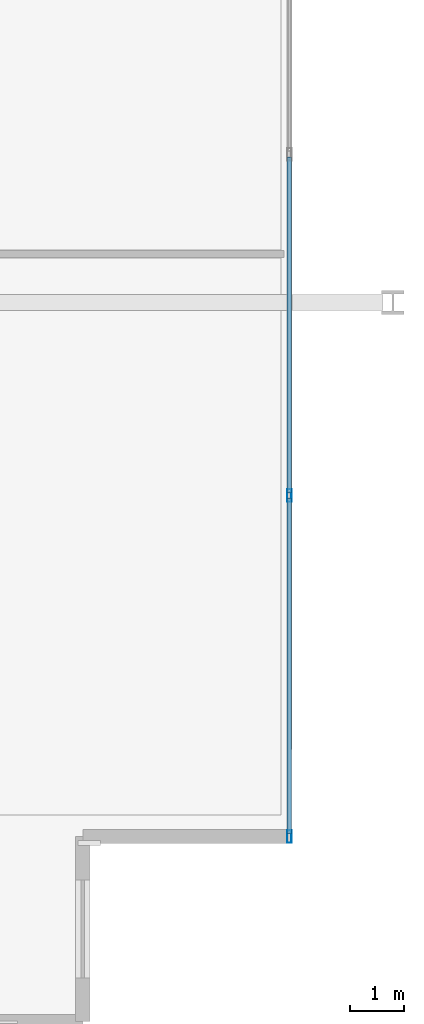
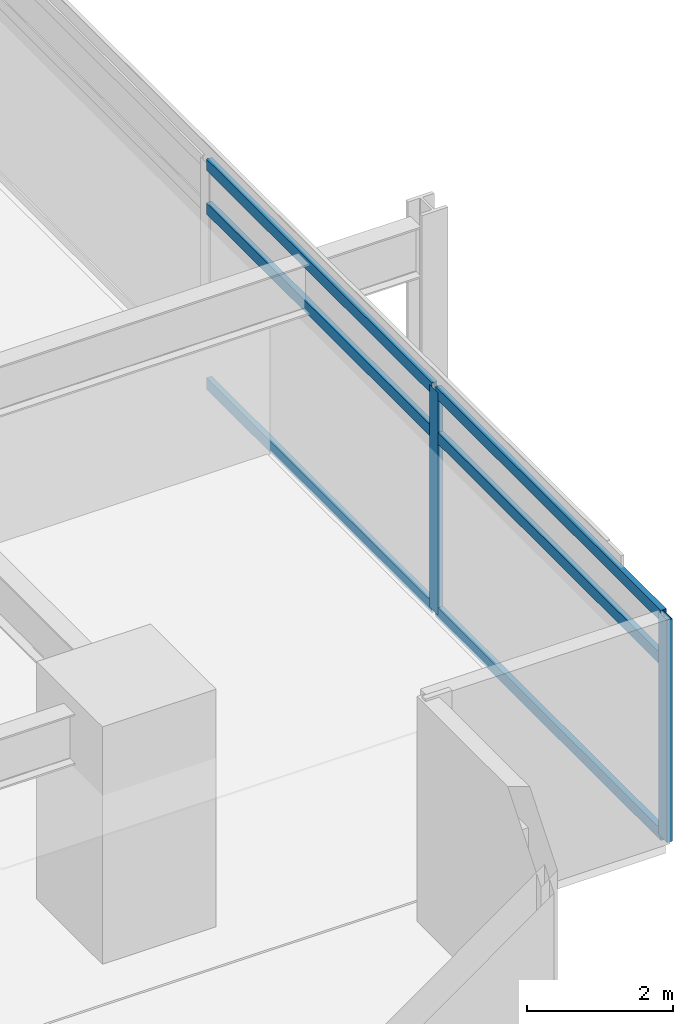
# One storey, part 2 of 23: 8 members, 1 element without a shape of its own.
"""IFC4 building model written with IfcOpenShell, lengths in metres."""

from ifc_helpers import new_model, si_unit, direction, frame, origin, origin_2d, place, context, subcontext, project, spatial, hollow_rectangle, extrude, material, material_profile, profile_set, type_object, element, aggregate, save


model = new_model("IFC4")

# Units and contexts
model_context = context("Model", 3, precision=1e-05, world=origin(), true_north=direction((0.0, 1.0)))
body_context = subcontext(model_context, "Body", "Model", "MODEL_VIEW")
ifc_project = project(units=[si_unit("LENGTHUNIT", "METRE"), si_unit("AREAUNIT", "SQUARE_METRE"), si_unit("VOLUMEUNIT", "CUBIC_METRE"), si_unit("PLANEANGLEUNIT", "RADIAN"), si_unit("MASSUNIT", "GRAM", prefix="KILO")], contexts=[model_context])

# Site, building, storey
site_placement = place(None, origin())
site = spatial("IfcSite", under=ifc_project, at=site_placement, CompositionType="ELEMENT")
building_placement = place(site_placement, origin())
building = spatial("IfcBuilding", under=site, at=building_placement, Name="Kovane Verandah Tower", CompositionType="ELEMENT")
storey_placement = place(building_placement, frame((0.0, 0.0, 55.60009765625)))
storey = spatial("IfcBuildingStorey", under=building, at=storey_placement, Name="L12", CompositionType="ELEMENT", Elevation=55.60009765625)

# Curtain wall, members
ifc_material_1 = material(Name="Champagne Anodised Aluminium Frame with Low-E Clear Laminated Glass", Category="aluminium")
curtain_wall_type = type_object("IfcCurtainWallType", Name="CW-SYS-02-LOW", PredefinedType="NOTDEFINED", material=ifc_material_1)
curtain_wall_placement = place(storey_placement, origin())
curtain_wall = element("IfcCurtainWall", 1, at=curtain_wall_placement, inside=storey, type_object=curtain_wall_type, Name="L12 E Unitised Curtain Wall", PredefinedType="NOTDEFINED")
ifc_material_2 = material(Name="Champagne Anodised Aluminium 6063-T6", Category="aluminium")
ifc_material_profile_1 = material_profile(ifc_material_2, hollow_rectangle(XDim=0.0849609375, YDim=0.22998046875, WallThickness=0.00390625, at=origin_2d()), Name="AL85x230x4")
ifc_profile_set_1 = profile_set([ifc_material_profile_1], Name="Champagne Anodised Aluminium 6063-T6")
member_type_1 = type_object("IfcMemberType", Name="CW-MUL-85x230", PredefinedType="MULLION", material=ifc_profile_set_1)
member_1_placement = place(storey_placement, frame((65.696044921875, 8.6728515625, 0.02001953125), z_axis=(0.0, 0.0, 1.0), x_axis=(1.0, 0.0, 0.0)))
member_1 = element("IfcMember", 2, at=member_1_placement, type_object=member_type_1, Name="L12 E Unitised Curtain Wall Mullion 1", PredefinedType="MULLION", context=body_context, shape_type="SweptSolid", body=[
    extrude(hollow_rectangle(XDim=0.0849609375, YDim=0.22998046875, WallThickness=0.00390625, at=origin_2d()), origin(), (0.0, 0.0, 1.0), 3.719970703125),
])
member_2_placement = place(storey_placement, frame((65.696044921875, 14.948486328125, 0.02001953125), z_axis=(0.0, 0.0, 1.0), x_axis=(1.0, 0.0, 0.0)))
member_2 = element("IfcMember", 3, at=member_2_placement, type_object=member_type_1, Name="L12 E Unitised Curtain Wall Mullion 2", PredefinedType="MULLION", context=body_context, shape_type="SweptSolid", body=[
    extrude(hollow_rectangle(XDim=0.0849609375, YDim=0.22998046875, WallThickness=0.00390625, at=origin_2d()), origin(), (0.0, 0.0, 1.0), 3.719970703125),
])
ifc_material_profile_2 = material_profile(ifc_material_2, hollow_rectangle(XDim=0.0849609375, YDim=0.18994140625, WallThickness=0.00390625, at=origin_2d()), Name="AL85x190x4")
ifc_profile_set_2 = profile_set([ifc_material_profile_2], Name="Champagne Anodised Aluminium 6063-T6")
member_type_2 = type_object("IfcMemberType", Name="CW-TRN-85x190", PredefinedType="USERDEFINED", material=ifc_profile_set_2)
member_3_placement = place(storey_placement, frame((65.696044921875, 8.722900390625, 0.0498046875), z_axis=(0.0, 1.0, 0.0), x_axis=(-1.0, 0.0, 0.0)))
member_3 = element("IfcMember", 4, at=member_3_placement, type_object=member_type_2, Name="L12 E Unitised Curtain Wall Transom TB Bay 1", ObjectType="TRANSOM", PredefinedType="USERDEFINED", context=body_context, shape_type="SweptSolid", body=[
    extrude(hollow_rectangle(XDim=0.0849609375, YDim=0.18994140625, WallThickness=0.00390625, at=origin_2d()), origin(), (0.0, 0.0, 1.0), 6.175537109375),
])
member_4_placement = place(storey_placement, frame((65.696044921875, 8.722900390625, 2.97998046875), z_axis=(0.0, 1.0, 0.0), x_axis=(-1.0, 0.0, 0.0)))
member_4 = element("IfcMember", 5, at=member_4_placement, type_object=member_type_2, Name="L12 E Unitised Curtain Wall Transom TM Bay 1", ObjectType="TRANSOM", PredefinedType="USERDEFINED", context=body_context, shape_type="SweptSolid", body=[
    extrude(hollow_rectangle(XDim=0.0849609375, YDim=0.18994140625, WallThickness=0.00390625, at=origin_2d()), origin(), (0.0, 0.0, 1.0), 6.175537109375),
])
member_5_placement = place(storey_placement, frame((65.696044921875, 8.722900390625, 3.7099609375), z_axis=(0.0, 1.0, 0.0), x_axis=(-1.0, 0.0, 0.0)))
member_5 = element("IfcMember", 6, at=member_5_placement, type_object=member_type_2, Name="L12 E Unitised Curtain Wall Transom TT Bay 1", ObjectType="TRANSOM", PredefinedType="USERDEFINED", context=body_context, shape_type="SweptSolid", body=[
    extrude(hollow_rectangle(XDim=0.0849609375, YDim=0.18994140625, WallThickness=0.00390625, at=origin_2d()), origin(), (0.0, 0.0, 1.0), 6.175537109375),
])
member_6_placement = place(storey_placement, frame((65.696044921875, 14.99853515625, 0.0498046875), z_axis=(0.0, 1.0, 0.0), x_axis=(-1.0, 0.0, 0.0)))
member_6 = element("IfcMember", 7, at=member_6_placement, type_object=member_type_2, Name="L12 E Unitised Curtain Wall Transom TB Bay 2", ObjectType="TRANSOM", PredefinedType="USERDEFINED", context=body_context, shape_type="SweptSolid", body=[
    extrude(hollow_rectangle(XDim=0.0849609375, YDim=0.18994140625, WallThickness=0.00390625, at=origin_2d()), origin(), (0.0, 0.0, 1.0), 6.17578125),
])
member_7_placement = place(storey_placement, frame((65.696044921875, 14.99853515625, 2.97998046875), z_axis=(0.0, 1.0, 0.0), x_axis=(-1.0, 0.0, 0.0)))
member_7 = element("IfcMember", 8, at=member_7_placement, type_object=member_type_2, Name="L12 E Unitised Curtain Wall Transom TM Bay 2", ObjectType="TRANSOM", PredefinedType="USERDEFINED", context=body_context, shape_type="SweptSolid", body=[
    extrude(hollow_rectangle(XDim=0.0849609375, YDim=0.18994140625, WallThickness=0.00390625, at=origin_2d()), origin(), (0.0, 0.0, 1.0), 6.17578125),
])
member_8_placement = place(storey_placement, frame((65.696044921875, 14.99853515625, 3.7099609375), z_axis=(0.0, 1.0, 0.0), x_axis=(-1.0, 0.0, 0.0)))
member_8 = element("IfcMember", 9, at=member_8_placement, type_object=member_type_2, Name="L12 E Unitised Curtain Wall Transom TT Bay 2", ObjectType="TRANSOM", PredefinedType="USERDEFINED", context=body_context, shape_type="SweptSolid", body=[
    extrude(hollow_rectangle(XDim=0.0849609375, YDim=0.18994140625, WallThickness=0.00390625, at=origin_2d()), origin(), (0.0, 0.0, 1.0), 6.17578125),
])
aggregate(curtain_wall, [member_1, member_2, member_3, member_4, member_5, member_6, member_7, member_8])

save(model, "model.ifc")
